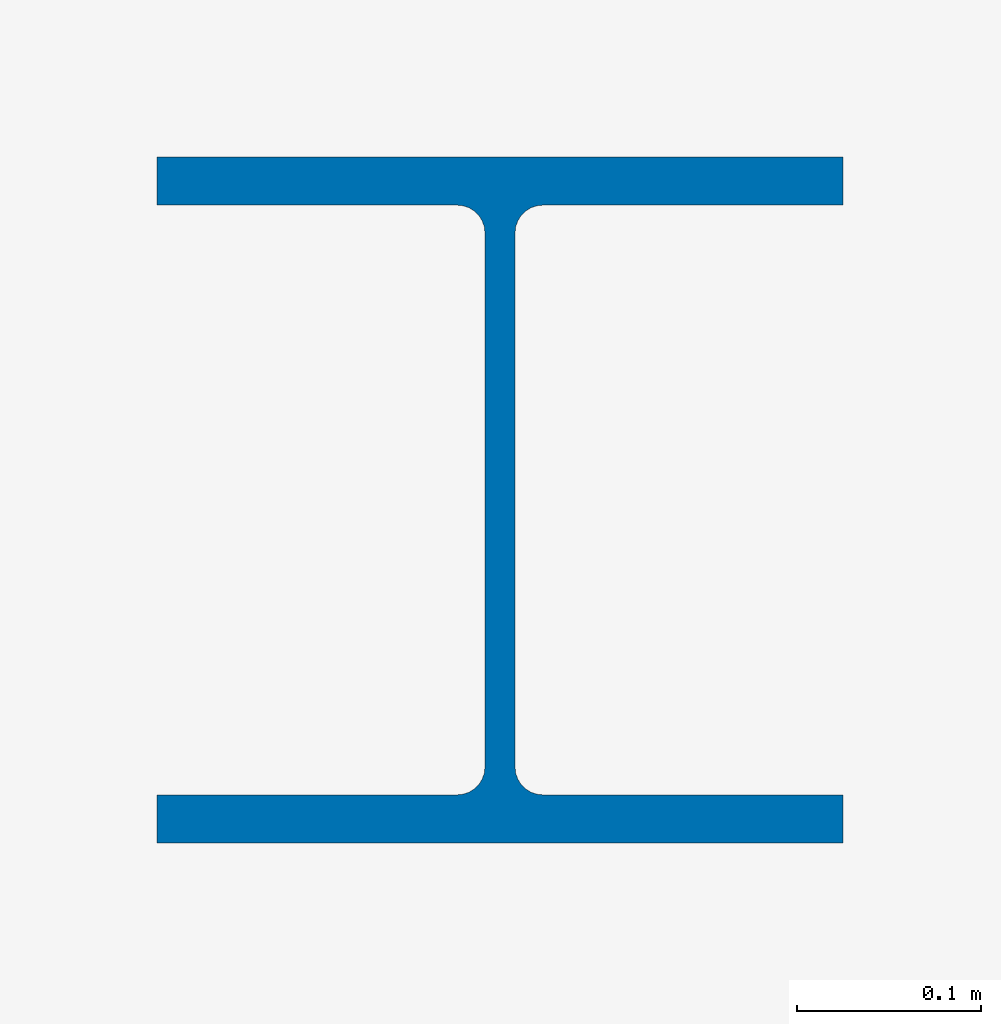
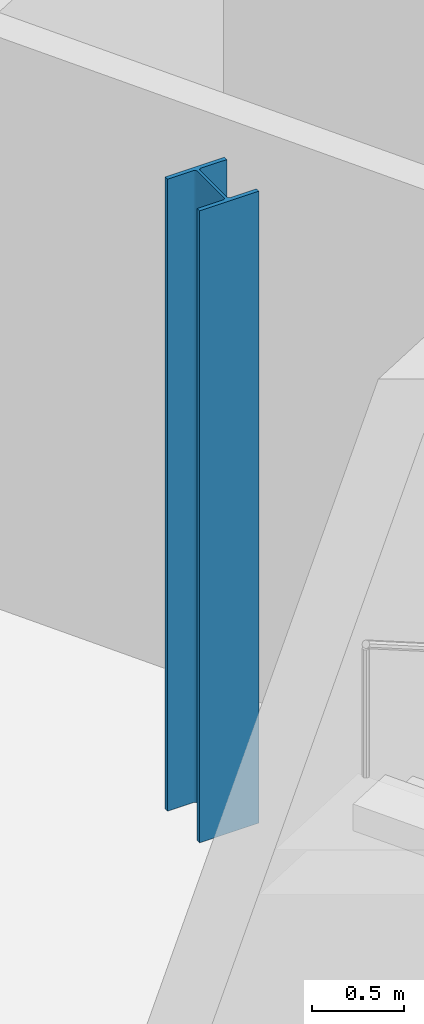
# One storey, part 1 of 15: 1 column.
"""IFC4 building model written with IfcOpenShell, lengths in metres."""

from ifc_helpers import new_model, si_unit, direction, frame, origin, origin_2d, place, context, subcontext, project, spatial, i_section, extrude, material, material_profile, profile_set, type_object, element, save


model = new_model("IFC4")

# Units and contexts
model_context = context("Model", 3, precision=1e-05, world=origin(), true_north=direction((0.0, 1.0)))
body_context = subcontext(model_context, "Body", "Model", "MODEL_VIEW")
ifc_project = project(units=[si_unit("LENGTHUNIT", "METRE"), si_unit("AREAUNIT", "SQUARE_METRE"), si_unit("VOLUMEUNIT", "CUBIC_METRE"), si_unit("PLANEANGLEUNIT", "RADIAN"), si_unit("MASSUNIT", "GRAM", prefix="KILO")], contexts=[model_context])

# Site, building, storey
site_placement = place(None, origin())
site = spatial("IfcSite", under=ifc_project, at=site_placement, CompositionType="ELEMENT")
building_placement = place(site_placement, origin())
building = spatial("IfcBuilding", under=site, at=building_placement, Name="Cormorant Relay Tower", CompositionType="ELEMENT")
storey_placement = place(building_placement, frame((0.0, 0.0, 332.39990234375)))
storey = spatial("IfcBuildingStorey", under=building, at=storey_placement, Name="C2", CompositionType="ELEMENT", Elevation=332.39990234375)

# Column
ifc_material = material(Name="Steel ASTM A992 (Fy 345 MPa)", Category="steel")
ifc_material_profile = material_profile(ifc_material, i_section(OverallWidth=0.373291015625, OverallDepth=0.373291015625, WebThickness=0.016357421875, FlangeThickness=0.026123046875, FilletRadius=0.01513671875, at=origin_2d()), Name="W360x196")
ifc_profile_set = profile_set([ifc_material_profile], Name="Steel ASTM A992 (Fy 345 MPa)")
column_type = type_object("IfcColumnType", Name="Column W360x196", PredefinedType="COLUMN", material=ifc_profile_set)
column_placement = place(storey_placement, frame((-51.68994140625, 15.251953125, 0.0), z_axis=(0.0, 0.0, 1.0), x_axis=(1.0, 0.0, 0.0)))
element("IfcColumn", 1, at=column_placement, inside=storey, type_object=column_type, Name="Column C2-005", PredefinedType="COLUMN", context=body_context, shape_type="SweptSolid", body=[
    extrude(i_section(OverallWidth=0.373291015625, OverallDepth=0.373291015625, WebThickness=0.016357421875, FlangeThickness=0.026123046875, FilletRadius=0.01513671875, at=origin_2d()), origin(), (0.0, 0.0, 1.0), 4.2001953125),
])

save(model, "model.ifc")
